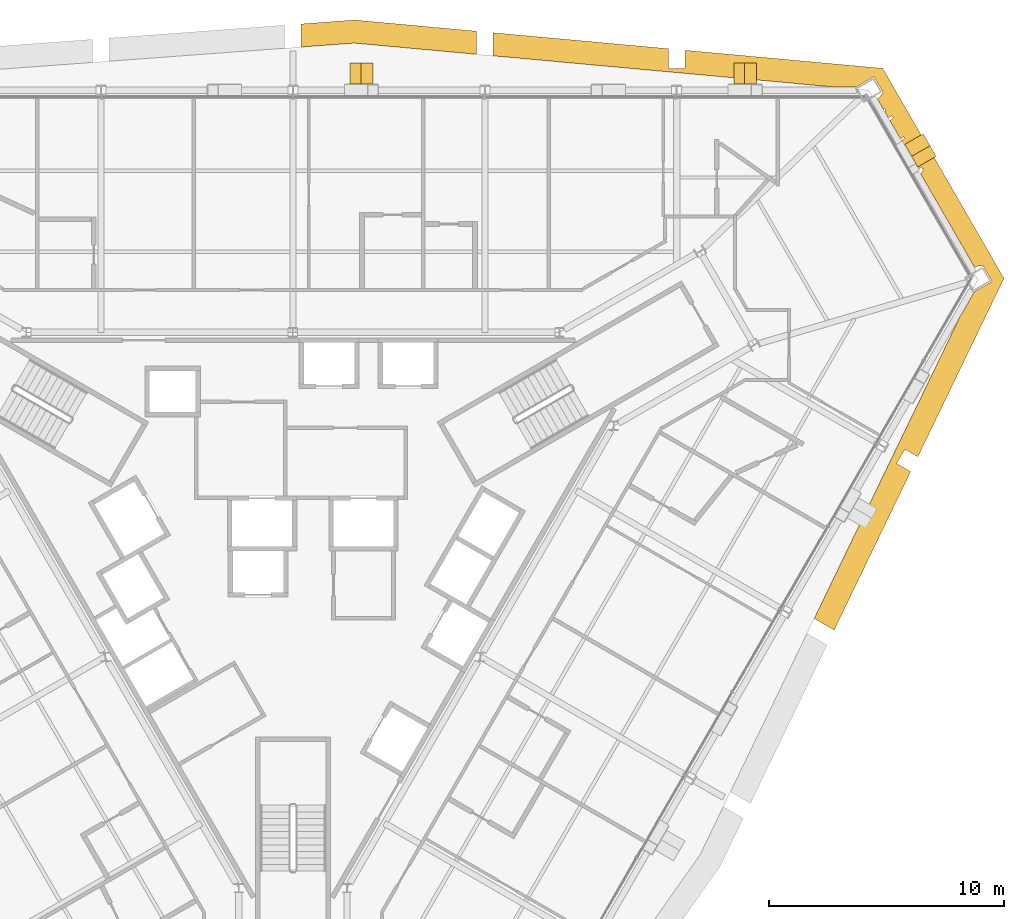
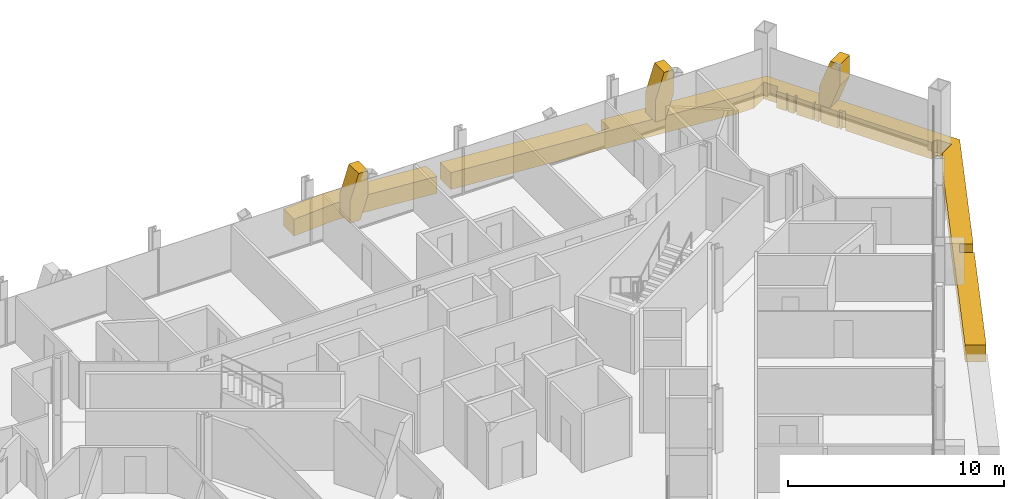
# One storey, part 19 of 19: 5 coverings.
"""IFC4 building model written with IfcOpenShell, lengths in metres."""

from ifc_helpers import new_model, si_unit, direction, frame, origin, place, context, subcontext, project, spatial, polyline, outline, extrude, material, layer, layer_set, type_object, element, save


model = new_model("IFC4")

# Units and contexts
model_context = context("Model", 3, precision=1e-05, world=origin(), true_north=direction((0.0, 1.0)))
body_context = subcontext(model_context, "Body", "Model", "MODEL_VIEW")
ifc_project = project(units=[si_unit("LENGTHUNIT", "METRE"), si_unit("AREAUNIT", "SQUARE_METRE"), si_unit("VOLUMEUNIT", "CUBIC_METRE"), si_unit("PLANEANGLEUNIT", "RADIAN"), si_unit("MASSUNIT", "GRAM", prefix="KILO")], contexts=[model_context])

# Site, building, storey
site_placement = place(None, origin())
site = spatial("IfcSite", under=ifc_project, at=site_placement, CompositionType="ELEMENT")
building_placement = place(site_placement, origin())
building = spatial("IfcBuilding", under=site, at=building_placement, Name="Verrane Prism Tower", CompositionType="ELEMENT")
storey_placement = place(building_placement, frame((0.0, 0.0, 125.199951171875)))
storey = spatial("IfcBuildingStorey", under=building, at=storey_placement, Name="L30", CompositionType="ELEMENT", Elevation=125.199951171875)

# Coverings
ifc_material_1 = material(Name="Warm limestone cladding", Category="masonry")
ifc_layer_1 = layer(ifc_material_1, 0.89990234375)
ifc_layer_set_1 = layer_set([ifc_layer_1], Name="Stone brace fin 900")
covering_type_1 = type_object("IfcCoveringType", Name="Stone brace fin 900", PredefinedType="CLADDING", material=ifc_layer_set_1)
for number, where, z_axis, x_axis, name in (
    (1, (18.7373046875, 20.194091796875, 0.0), (0.0, 0.0, 1.0), (1.0, 0.0, 0.0), "Stone brace fin N1 L30"),
    (2, (2.42724609375, 20.194091796875, 0.0), (0.0, 0.0, 1.0), (1.0, 0.0, 0.0), "Stone brace fin N3 L30"),
):
    element("IfcCovering", number, at=place(storey_placement, frame(where, z_axis=z_axis, x_axis=x_axis)), inside=storey, type_object=covering_type_1, Name=name, PredefinedType="CLADDING", context=body_context, shape_type="SweptSolid", body=[
        extrude(outline(polyline([(0.97412109375, 2.650146484375), (0.463623046875, 2.650146484375), (0.0, 1.21826171875), (0.0, 0.0), (0.551513671875, 0.0), (0.97412109375, 1.304931640625), (0.97412109375, 2.650146484375)])), frame((0.0, 0.449951171875, 0.0), z_axis=(0.0, -1.0, 0.0), x_axis=(1.0, 0.0, 0.0)), (0.0, 0.0, 1.0), 0.89990234375),
    ])
covering_1_placement = place(storey_placement, frame((26.39453125, 17.411376953125, 0.0), z_axis=(0.0, 0.0, 1.0), x_axis=(0.499913513082, -0.866075331272, 0.0)))
element("IfcCovering", 3, at=covering_1_placement, inside=storey, type_object=covering_type_1, Name="Stone brace fin NE1 L30", PredefinedType="CLADDING", context=body_context, shape_type="SweptSolid", body=[
    extrude(outline(polyline([(1.106201171875, 2.650146484375), (0.5869140625, 2.650146484375), (0.0, 1.056884765625), (0.0, 0.0), (0.56982421875, 0.0), (1.106201171875, 1.4560546875), (1.106201171875, 2.650146484375)])), frame((0.0, 0.449951171875, 0.0), z_axis=(0.0, -1.0, 0.0), x_axis=(1.0, 0.0, 0.0)), (0.0, 0.0, 1.0), 0.89990234375),
])
ifc_material_2 = material(Name="Warm limestone cladding", Category="masonry")
ifc_layer_2 = layer(ifc_material_2, 0.449951171875)
ifc_layer_set_2 = layer_set([ifc_layer_2], Name="Stone spandrel band 450")
covering_type_2 = type_object("IfcCoveringType", Name="Stone spandrel band 450", PredefinedType="CLADDING", material=ifc_layer_set_2)
covering_2_placement = place(storey_placement, frame((0.0, 0.0, -0.949951171875)))
element("IfcCovering", 4, at=covering_2_placement, inside=storey, type_object=covering_type_2, Name="Stone spandrel band L30 part 1", PredefinedType="CLADDING", context=body_context, shape_type="SweptSolid", body=[
    extrude(outline(polyline([(8.507080078125, 20.950439453125), (23.01416015625, 19.623291015625), (23.94091796875, 19.623291015625), (24.69580078125, 20.05908203125), (25.07568359375, 19.40087890625), (25.056884765625, 19.389892578125), (24.945556640625, 19.195556640625), (24.833251953125, 19.130615234375), (25.1064453125, 18.6572265625), (25.1259765625, 18.714111328125), (25.1923828125, 18.691162109375), (25.153076171875, 18.57666015625), (25.3046875, 18.313720703125), (25.447509765625, 18.396240234375), (25.51123046875, 18.2861328125), (25.368408203125, 18.20361328125), (25.819580078125, 17.422119140625), (25.96240234375, 17.50439453125), (26.00048828125, 17.43798828125), (25.85791015625, 17.355712890625), (25.968017578125, 17.165283203125), (26.110595703125, 17.24755859375), (26.174072265625, 17.137451171875), (26.031494140625, 17.05517578125), (26.482666015625, 16.273681640625), (26.625, 16.355712890625), (26.663330078125, 16.289306640625), (26.52099609375, 16.207275390625), (26.59228515625, 16.083984375), (26.66015625, 16.2080078125), (26.79638671875, 16.13330078125), (26.68310546875, 15.926513671875), (28.982666015625, 11.943603515625), (29.094482421875, 12.008056640625), (29.316650390625, 12.008056640625), (29.335693359375, 12.01904296875), (29.7158203125, 11.36083984375), (28.9697265625, 10.93017578125), (28.327392578125, 9.817626953125), (27.138671875, 7.35595703125), (27.140380859375, 7.353515625), (27.1357421875, 7.350341796875), (22.153564453125, -2.967041015625), (23.0029296875, -3.457275390625), (26.25439453125, 3.276123046875), (25.65869140625, 3.6201171875), (26.008544921875, 4.226318359375), (26.559814453125, 3.908203125), (30.220703125, 11.489013671875), (25.0654296875, 20.41796875), (16.66455078125, 21.186279296875), (16.66455078125, 20.409912109375), (15.964599609375, 20.409912109375), (15.964599609375, 21.25048828125), (8.507080078125, 21.9326171875), (8.507080078125, 20.950439453125)])), origin(), (0.0, 0.0, 1.0), 0.949951171875),
])
covering_3_placement = place(storey_placement, frame((0.0, 0.0, -0.949951171875)))
element("IfcCovering", 5, at=covering_3_placement, inside=storey, type_object=covering_type_2, Name="Stone spandrel band L30 part 8", PredefinedType="CLADDING", context=body_context, shape_type="SweptSolid", body=[
    extrude(outline(polyline([(0.35009765625, 22.3037109375), (0.35009765625, 21.322998046875), (2.6103515625, 21.489990234375), (7.80712890625, 21.0146484375), (7.80712890625, 21.99658203125), (2.618896484375, 22.471435546875), (0.35009765625, 22.3037109375)])), origin(), (0.0, 0.0, 1.0), 0.949951171875),
])

save(model, "model.ifc")
